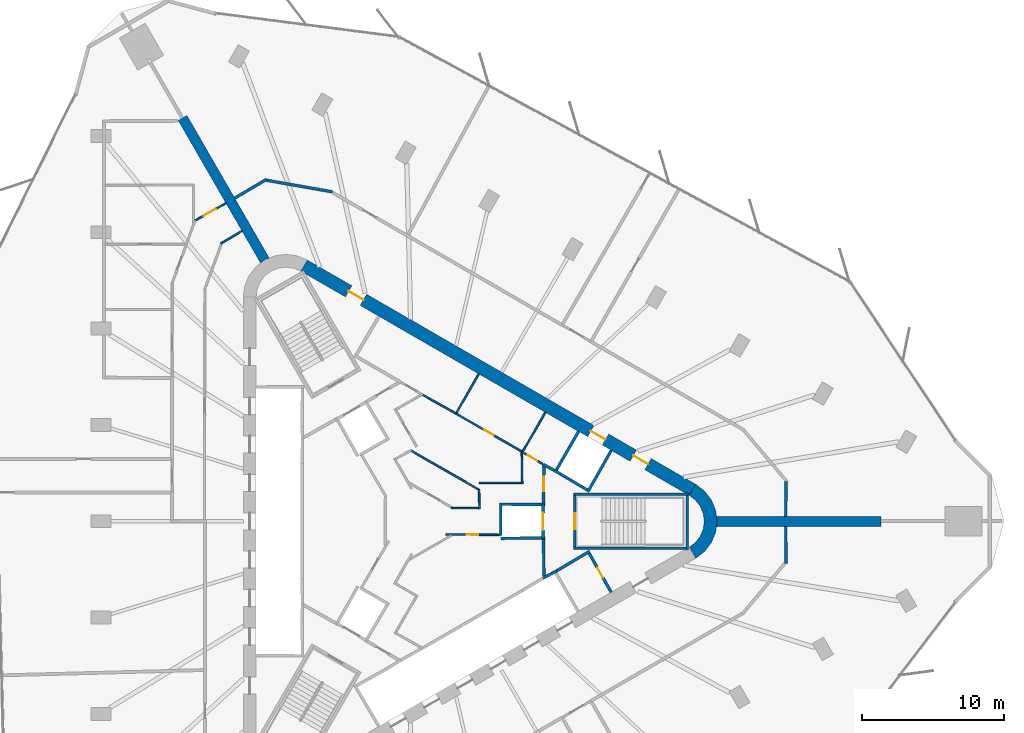
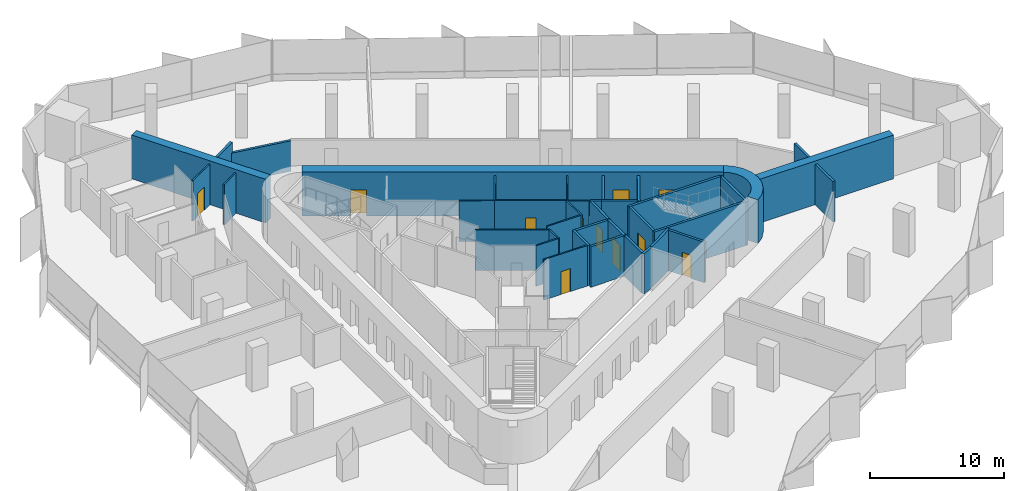
# One storey, part 11 of 14: 38 walls, 11 doors, 11 openings.
"""IFC4 building model written with IfcOpenShell, lengths in metres."""

from ifc_helpers import new_model, si_unit, direction, frame, frame_2d, origin, place, context, subcontext, project, spatial, polyline, rectangle, outline, extrude, material, layer, layer_set, type_object, element, fill, save


model = new_model("IFC4")

# Units and contexts
model_context = context("Model", 3, precision=1e-05, world=origin(), true_north=direction((0.0, 1.0)))
body_context = subcontext(model_context, "Body", "Model", "MODEL_VIEW")
ifc_project = project(units=[si_unit("LENGTHUNIT", "METRE"), si_unit("AREAUNIT", "SQUARE_METRE"), si_unit("VOLUMEUNIT", "CUBIC_METRE"), si_unit("PLANEANGLEUNIT", "RADIAN"), si_unit("MASSUNIT", "GRAM", prefix="KILO")], contexts=[model_context])

# Site, building, storey
site_placement = place(None, origin())
site = spatial("IfcSite", under=ifc_project, at=site_placement, CompositionType="ELEMENT")
building_placement = place(site_placement, origin())
building = spatial("IfcBuilding", under=site, at=building_placement, Name="Tanit Gate Tower", CompositionType="ELEMENT")
storey_placement = place(building_placement, frame((0.0, 0.0, 217.199951171875)))
storey = spatial("IfcBuildingStorey", under=building, at=storey_placement, Name="L48", CompositionType="ELEMENT", Elevation=217.199951171875)

# Walls
ifc_material_1 = material(Name="Concrete C50/60", Category="concrete")
ifc_layer_1 = layer(ifc_material_1, 0.699951171875)
ifc_layer_set_1 = layer_set([ifc_layer_1], Name="BUTTRESS FIN 700 C50/60")
wall_type_1 = type_object("IfcWallType", Name="BUTTRESS FIN 700 C50/60", PredefinedType="SHEAR", material=ifc_layer_set_1)
for number, where, z_axis, x_axis, name in (
    (1, (21.14990234375, 0.0, 0.0), (0.0, 0.0, 1.0), (1.0, 0.0, 0.0), "BUTTRESS FIN"),
    (2, (-10.574951171875, 18.31640625, 0.0), (0.0, 0.0, 1.0), (-0.499998001389, 0.86602655768, 0.0), "BUTTRESS FIN"),
):
    element("IfcWall", number, at=place(storey_placement, frame(where, z_axis=z_axis, x_axis=x_axis)), inside=storey, type_object=wall_type_1, Name=name, PredefinedType="SHEAR", context=body_context, shape_type="SweptSolid", body=[
        extrude(rectangle(XDim=11.5810546875, YDim=0.699951171875, at=frame_2d((5.79052734375, 0.0))), origin(), (0.0, 0.0, 1.0), 4.0),
    ])

# Wall, openings, doors
ifc_material_2 = material(Name="Concrete C50/60", Category="concrete")
ifc_layer_2 = layer(ifc_material_2, 0.89990234375)
ifc_layer_set_2 = layer_set([ifc_layer_2], Name="CORE WALL 900 C50/60")
wall_type_2 = type_object("IfcWallType", Name="CORE WALL 900 C50/60", PredefinedType="SHEAR", material=ifc_layer_set_2)
wall_1_placement = place(storey_placement, frame((19.47509765625, 2.20849609375, 0.0), z_axis=(0.0, 0.0, 1.0), x_axis=(-0.866028369851, 0.499994862586, 0.0)))
wall_1 = element("IfcWall", 3, at=wall_1_placement, inside=storey, type_object=wall_type_2, Name="CORE WALL", PredefinedType="SHEAR", context=body_context, shape_type="SweptSolid", body=[
    extrude(rectangle(XDim=31.523193359375, YDim=0.89990234375, at=frame_2d((15.76171875, 0.0))), origin(), (0.0, 0.0, 1.0), 4.0),
])
opening_1_placement = place(wall_1_placement, frame((7.0615234375, 0.0, 0.0)))
opening_1 = element("IfcOpeningElement", 4, at=opening_1_placement, cuts=wall_1, Name="Opening LDML8-S13", PredefinedType="OPENING", context=body_context, shape_type="SweptSolid", body=[
    extrude(rectangle(XDim=1.199951171875, YDim=2.39990234375, at=frame_2d((0.60009765625, 1.199951171875))), frame((0.0, 0.4599609375, 0.0), z_axis=(0.0, -1.0, 0.0), x_axis=(1.0, 0.0, 0.0)), (0.0, 0.0, 1.0), 0.919921875),
])
opening_2_placement = place(wall_1_placement, frame((3.611572265625, 0.0, 0.0)))
opening_2 = element("IfcOpeningElement", 5, at=opening_2_placement, cuts=wall_1, Name="Opening F12-S13-FL1", PredefinedType="OPENING", context=body_context, shape_type="SweptSolid", body=[
    extrude(rectangle(XDim=1.199951171875, YDim=2.39990234375, at=frame_2d((0.60009765625, 1.199951171875))), frame((0.0, 0.4599609375, 0.0), z_axis=(0.0, -1.0, 0.0), x_axis=(1.0, 0.0, 0.0)), (0.0, 0.0, 1.0), 0.919921875),
])
opening_3_placement = place(wall_1_placement, frame((26.711669921875, 0.0, 0.0)))
opening_3 = element("IfcOpeningElement", 6, at=opening_3_placement, cuts=wall_1, Name="Opening F12-S13-S2", PredefinedType="OPENING", context=body_context, shape_type="SweptSolid", body=[
    extrude(rectangle(XDim=1.199951171875, YDim=2.39990234375, at=frame_2d((0.60009765625, 1.199951171875))), frame((0.0, 0.4599609375, 0.0), z_axis=(0.0, -1.0, 0.0), x_axis=(1.0, 0.0, 0.0)), (0.0, 0.0, 1.0), 0.919921875),
])
ifc_material_3 = material(Name="Fire-rated steel door leaf", Category="steel")
door_type_1 = type_object("IfcDoorType", Name="INT-DOOR-FIRE-LOBBY-1200", OperationType="NOTDEFINED", PredefinedType="USERDEFINED", material=ifc_material_3)
door_1_placement = place(opening_2_placement, origin())
door_1 = element("IfcDoor", 7, at=door_1_placement, inside=storey, type_object=door_type_1, Name="Door F12-S13-FL1", ObjectType="FIRE DOOR", OperationType="SINGLE_SWING_LEFT", OverallHeight=2.39990234375, OverallWidth=1.199951171875, PredefinedType="USERDEFINED", context=body_context, shape_type="SweptSolid", body=[
    extrude(rectangle(XDim=1.199951171875, YDim=2.39990234375, at=frame_2d((0.60009765625, 1.199951171875))), frame((0.0, 0.02490234375, 0.0), z_axis=(0.0, -1.0, 0.0), x_axis=(1.0, 0.0, 0.0)), (0.0, 0.0, 1.0), 0.050048828125),
])
fill(opening_2, door_1)
door_2_placement = place(opening_3_placement, origin())
door_2 = element("IfcDoor", 8, at=door_2_placement, inside=storey, type_object=door_type_1, Name="Door F12-S13-S2", ObjectType="FIRE DOOR", OperationType="SINGLE_SWING_LEFT", OverallHeight=2.39990234375, OverallWidth=1.199951171875, PredefinedType="USERDEFINED", context=body_context, shape_type="SweptSolid", body=[
    extrude(rectangle(XDim=1.199951171875, YDim=2.39990234375, at=frame_2d((0.60009765625, 1.199951171875))), frame((0.0, 0.02490234375, 0.0), z_axis=(0.0, -1.0, 0.0), x_axis=(1.0, 0.0, 0.0)), (0.0, 0.0, 1.0), 0.050048828125),
])
fill(opening_3, door_2)
ifc_material_4 = material(Name="Stainless steel sliding door leaf", Category="steel")
door_type_2 = type_object("IfcDoorType", Name="INT-DOOR-LANDING-1200", OperationType="NOTDEFINED", PredefinedType="USERDEFINED", material=ifc_material_4)
door_3_placement = place(opening_1_placement, origin())
door_3 = element("IfcDoor", 9, at=door_3_placement, inside=storey, type_object=door_type_2, Name="Door LDML8-S13", ObjectType="LANDING DOOR", OperationType="SLIDING_TO_LEFT", OverallHeight=2.39990234375, OverallWidth=1.199951171875, PredefinedType="USERDEFINED", context=body_context, shape_type="SweptSolid", body=[
    extrude(rectangle(XDim=1.199951171875, YDim=2.39990234375, at=frame_2d((0.60009765625, 1.199951171875))), frame((0.0, 0.02490234375, 0.0), z_axis=(0.0, -1.0, 0.0), x_axis=(1.0, 0.0, 0.0)), (0.0, 0.0, 1.0), 0.050048828125),
])
fill(opening_1, door_3)

# Walls
wall_2_placement = place(storey_placement, origin())
element("IfcWall", 10, at=wall_2_placement, inside=storey, type_object=wall_type_2, Name="CORE WALL CORNER", PredefinedType="SHEAR", context=body_context, shape_type="SweptSolid", body=[
    extrude(outline(polyline([(19.699951171875, -2.59814453125), (20.3212890625, -2.121337890625), (20.798095703125, -1.5), (21.097900390625, -0.776611328125), (21.199951171875, 0.0), (21.097900390625, 0.776611328125), (20.798095703125, 1.5), (20.3212890625, 2.121337890625), (19.699951171875, 2.59814453125), (19.25, 1.818603515625), (19.684814453125, 1.48486328125), (20.018798828125, 1.050048828125), (20.228515625, 0.54345703125), (20.300048828125, 0.0), (20.228515625, -0.54345703125), (20.018798828125, -1.050048828125), (19.684814453125, -1.48486328125), (19.25, -1.818603515625), (19.699951171875, -2.59814453125)])), origin(), (0.0, 0.0, 1.0), 4.0),
])
ifc_material_5 = material(Name="Fire-rated gypsum board partition")
ifc_layer_3 = layer(ifc_material_5, 0.199951171875)
ifc_layer_set_3 = layer_set([ifc_layer_3], Name="INT-WALL-COMPARTMENT")
wall_type_3 = type_object("IfcWallType", Name="INT-WALL-COMPARTMENT", PredefinedType="PARTITIONING", material=ifc_layer_set_3)
wall_3_placement = place(storey_placement, frame((8.97412109375, 3.998779296875, 0.0), z_axis=(0.0, 0.0, 1.0), x_axis=(0.880917147855, -0.473270513147, 0.0)))
element("IfcWall", 11, at=wall_3_placement, inside=storey, type_object=wall_type_3, Name="Wall Compartment W050", PredefinedType="PARTITIONING", context=body_context, shape_type="SweptSolid", body=[
    extrude(rectangle(XDim=0.8779296875, YDim=0.199951171875, at=frame_2d((0.43896484375, 0.0))), origin(), (0.0, 0.0, 1.0), 3.699951171875),
])
wall_4_placement = place(storey_placement, frame((12.244873046875, -2.10888671875, 0.0), z_axis=(0.0, 0.0, 1.0), x_axis=(-0.860414880418, -0.509594185166, 0.0)))
element("IfcWall", 12, at=wall_4_placement, inside=storey, type_object=wall_type_3, Name="Wall Compartment W058", PredefinedType="PARTITIONING", context=body_context, shape_type="SweptSolid", body=[
    extrude(rectangle(XDim=2.7001953125, YDim=0.199951171875, at=frame_2d((1.35009765625, 0.0))), origin(), (0.0, 0.0, 1.0), 3.699951171875),
])

# Wall, opening, door
wall_5_placement = place(storey_placement, frame((13.758056640625, -4.989501953125, 0.0), z_axis=(0.0, 0.0, 1.0), x_axis=(-0.491993409184, 0.87059892334, 0.0)))
wall_5 = element("IfcWall", 13, at=wall_5_placement, inside=storey, type_object=wall_type_3, Name="Wall Compartment W059", PredefinedType="PARTITIONING", context=body_context, shape_type="SweptSolid", body=[
    extrude(rectangle(XDim=3.150146484375, YDim=0.199951171875, at=frame_2d((1.5751953125, 0.0))), origin(), (0.0, 0.0, 1.0), 3.699951171875),
])
opening_4_placement = place(wall_5_placement, frame((1.175048828125, 0.0, 0.0)))
opening_4 = element("IfcOpeningElement", 14, at=opening_4_placement, cuts=wall_5, Name="Opening R08-S13-17", PredefinedType="OPENING", context=body_context, shape_type="SweptSolid", body=[
    extrude(rectangle(XDim=0.800048828125, YDim=2.10009765625, at=frame_2d((0.39990234375, 1.050048828125))), frame((0.0, 0.10986328125, 0.0), z_axis=(0.0, -1.0, 0.0), x_axis=(1.0, 0.0, 0.0)), (0.0, 0.0, 1.0), 0.219970703125),
])
ifc_material_6 = material(Name="Timber door leaf", Category="wood")
door_type_3 = type_object("IfcDoorType", Name="INT-DOOR-RISER-800", OperationType="NOTDEFINED", PredefinedType="USERDEFINED", material=ifc_material_6)
door_4_placement = place(opening_4_placement, origin())
door_4 = element("IfcDoor", 15, at=door_4_placement, inside=storey, type_object=door_type_3, Name="Door R08-S13-17", ObjectType="FIRE DOOR", OperationType="SINGLE_SWING_LEFT", OverallHeight=2.10009765625, OverallWidth=0.800048828125, PredefinedType="USERDEFINED", context=body_context, shape_type="SweptSolid", body=[
    extrude(rectangle(XDim=0.800048828125, YDim=2.10009765625, at=frame_2d((0.39990234375, 1.050048828125))), frame((0.0, 0.02490234375, 0.0), z_axis=(0.0, -1.0, 0.0), x_axis=(1.0, 0.0, 0.0)), (0.0, 0.0, 1.0), 0.050048828125),
])
fill(opening_4, door_4)

# Wall
wall_6_placement = place(storey_placement, frame((9.02880859375, -3.8505859375, 0.0), z_axis=(0.0, 0.0, 1.0), x_axis=(-0.010784614026, 0.999941844359, 0.0)))
element("IfcWall", 16, at=wall_6_placement, inside=storey, type_object=wall_type_3, Name="Wall Compartment W060", PredefinedType="PARTITIONING", context=body_context, shape_type="SweptSolid", body=[
    extrude(rectangle(XDim=2.580810546875, YDim=0.199951171875, at=frame_2d((1.29052734375, 0.0))), origin(), (0.0, 0.0, 1.0), 3.699951171875),
])

# Wall, opening, door
wall_7_placement = place(storey_placement, frame((9.0009765625, 1.27001953125, 0.0), z_axis=(0.0, 0.0, 1.0), x_axis=(0.010728802716, 0.99994244474, 0.0)))
wall_7 = element("IfcWall", 17, at=wall_7_placement, inside=storey, type_object=wall_type_3, Name="Wall Compartment W061", PredefinedType="PARTITIONING", context=body_context, shape_type="SweptSolid", body=[
    extrude(rectangle(XDim=2.7080078125, YDim=0.199951171875, at=frame_2d((1.35400390625, 0.0))), origin(), (0.0, 0.0, 1.0), 3.699951171875),
])
opening_5_placement = place(wall_7_placement, frame((0.848388671875, 0.0, 0.0)))
opening_5 = element("IfcOpeningElement", 18, at=opening_5_placement, cuts=wall_7, Name="Opening F10-S13-02", PredefinedType="OPENING", context=body_context, shape_type="SweptSolid", body=[
    extrude(rectangle(XDim=1.0, YDim=2.10009765625, at=frame_2d((0.5, 1.050048828125))), frame((0.0, 0.10986328125, 0.0), z_axis=(0.0, -1.0, 0.0), x_axis=(1.0, 0.0, 0.0)), (0.0, 0.0, 1.0), 0.219970703125),
])
ifc_material_7 = material(Name="Fire-rated steel door leaf", Category="steel")
door_type_4 = type_object("IfcDoorType", Name="INT-DOOR-FIRE-1000", OperationType="NOTDEFINED", PredefinedType="USERDEFINED", material=ifc_material_7)
door_5_placement = place(opening_5_placement, origin())
door_5 = element("IfcDoor", 19, at=door_5_placement, inside=storey, type_object=door_type_4, Name="Door F10-S13-02", ObjectType="FIRE DOOR", OperationType="SINGLE_SWING_RIGHT", OverallHeight=2.10009765625, OverallWidth=1.0, PredefinedType="USERDEFINED", context=body_context, shape_type="SweptSolid", body=[
    extrude(rectangle(XDim=1.0, YDim=2.10009765625, at=frame_2d((0.5, 1.050048828125))), frame((0.0, 0.02490234375, 0.0), z_axis=(0.0, -1.0, 0.0), x_axis=(1.0, 0.0, 0.0)), (0.0, 0.0, 1.0), 0.050048828125),
])
fill(opening_5, door_5)

# Walls
wall_8_placement = place(storey_placement, frame((-10.449462890625, 24.0439453125, 0.0), z_axis=(0.0, 0.0, 1.0), x_axis=(-0.860744847861, -0.509036645912, 0.0)))
element("IfcWall", 20, at=wall_8_placement, inside=storey, type_object=wall_type_3, Name="Wall Compartment W102", PredefinedType="PARTITIONING", context=body_context, shape_type="SweptSolid", body=[
    extrude(rectangle(XDim=2.62255859375, YDim=0.199951171875, at=frame_2d((1.311279296875, 0.0))), origin(), (0.0, 0.0, 1.0), 3.699951171875),
])
wall_9_placement = place(storey_placement, frame((-5.833740234375, 23.153076171875, 0.0), z_axis=(0.0, 0.0, 1.0), x_axis=(-0.98481258102, 0.173620794447, 0.0)))
element("IfcWall", 21, at=wall_9_placement, inside=storey, type_object=wall_type_3, Name="Wall Compartment W103", PredefinedType="PARTITIONING", context=body_context, shape_type="SweptSolid", body=[
    extrude(rectangle(XDim=4.740234375, YDim=0.199951171875, at=frame_2d((2.3701171875, 0.0))), origin(), (0.0, 0.0, 1.0), 2.780029296875),
])
wall_10_placement = place(storey_placement, frame((26.019775390625, 0.35009765625, 0.0), z_axis=(0.0, 0.0, 1.0), x_axis=(0.010532007244, 0.999944536874, 0.0)))
element("IfcWall", 22, at=wall_10_placement, inside=storey, type_object=wall_type_3, Name="Wall Compartment W108", PredefinedType="PARTITIONING", context=body_context, shape_type="SweptSolid", body=[
    extrude(rectangle(XDim=2.457275390625, YDim=0.199951171875, at=frame_2d((1.228515625, 0.0))), origin(), (0.0, 0.0, 1.0), 3.699951171875),
])
wall_11_placement = place(storey_placement, frame((26.04736328125, -2.972412109375, 0.0), z_axis=(0.0, 0.0, 1.0), x_axis=(-0.010519853563, 0.99994466481, 0.0)))
element("IfcWall", 23, at=wall_11_placement, inside=storey, type_object=wall_type_3, Name="Wall Compartment W110", PredefinedType="PARTITIONING", context=body_context, shape_type="SweptSolid", body=[
    extrude(rectangle(XDim=2.62255859375, YDim=0.199951171875, at=frame_2d((1.311279296875, 0.0))), origin(), (0.0, 0.0, 1.0), 3.699951171875),
])
ifc_material_8 = material(Name="Gypsum board partition")
ifc_layer_4 = layer(ifc_material_8, 0.1201171875)
ifc_layer_set_4 = layer_set([ifc_layer_4], Name="INT-WALL-PARTITION")
wall_type_4 = type_object("IfcWallType", Name="INT-WALL-PARTITION", PredefinedType="PARTITIONING", material=ifc_layer_set_4)
wall_12_placement = place(storey_placement, frame((7.50830078125, 4.844970703125, 0.0), z_axis=(0.0, 0.0, 1.0), x_axis=(0.500017246033, 0.866015446554, 0.0)))
element("IfcWall", 24, at=wall_12_placement, inside=storey, type_object=wall_type_4, Name="Wall Partition W049", PredefinedType="PARTITIONING", context=body_context, shape_type="SweptSolid", body=[
    extrude(rectangle(XDim=3.25, YDim=0.1201171875, at=frame_2d((1.625, 0.0))), origin(), (0.0, 0.0, 1.0), 3.699951171875),
])

# Wall, opening, door
wall_13_placement = place(storey_placement, frame((7.4931640625, 4.87841796875, 0.0), z_axis=(0.0, 0.0, 1.0), x_axis=(0.8599829515, -0.510322763679, 0.0)))
wall_13 = element("IfcWall", 25, at=wall_13_placement, inside=storey, type_object=wall_type_4, Name="Wall Partition W051", PredefinedType="PARTITIONING", context=body_context, shape_type="SweptSolid", body=[
    extrude(rectangle(XDim=1.671630859375, YDim=0.1201171875, at=frame_2d((0.8359375, 0.0))), origin(), (0.0, 0.0, 1.0), 3.699951171875),
])
opening_6_placement = place(wall_13_placement, frame((0.435791015625, 0.0, 0.0)))
opening_6 = element("IfcOpeningElement", 26, at=opening_6_placement, cuts=wall_13, Name="Opening R08-S13-14", PredefinedType="OPENING", context=body_context, shape_type="SweptSolid", body=[
    extrude(rectangle(XDim=0.800048828125, YDim=2.10009765625, at=frame_2d((0.39990234375, 1.050048828125))), frame((0.0, 0.070068359375, 0.0), z_axis=(0.0, -1.0, 0.0), x_axis=(1.0, 0.0, 0.0)), (0.0, 0.0, 1.0), 0.14013671875),
])
door_6_placement = place(opening_6_placement, origin())
door_6 = element("IfcDoor", 27, at=door_6_placement, inside=storey, type_object=door_type_3, Name="Door R08-S13-14", ObjectType="FIRE DOOR", OperationType="SINGLE_SWING_RIGHT", OverallHeight=2.10009765625, OverallWidth=0.800048828125, PredefinedType="USERDEFINED", context=body_context, shape_type="SweptSolid", body=[
    extrude(rectangle(XDim=0.800048828125, YDim=2.10009765625, at=frame_2d((0.39990234375, 1.050048828125))), frame((0.0, 0.02490234375, 0.0), z_axis=(0.0, -1.0, 0.0), x_axis=(1.0, 0.0, 0.0)), (0.0, 0.0, 1.0), 0.050048828125),
])
fill(opening_6, door_6)

# Wall
wall_14_placement = place(storey_placement, frame((2.831787109375, 7.544921875, 0.0), z_axis=(0.0, 0.0, 1.0), x_axis=(0.500017246033, 0.866015446554, 0.0)))
element("IfcWall", 28, at=wall_14_placement, inside=storey, type_object=wall_type_4, Name="Wall Partition W052", PredefinedType="PARTITIONING", context=body_context, shape_type="SweptSolid", body=[
    extrude(rectangle(XDim=3.25, YDim=0.1201171875, at=frame_2d((1.625, 0.0))), origin(), (0.0, 0.0, 1.0), 3.699951171875),
])

# Wall, opening, door
wall_15_placement = place(storey_placement, frame((7.497314453125, 4.885986328125, 0.0), z_axis=(0.0, 0.0, 1.0), x_axis=(-0.866028230842, 0.499995103361, 0.0)))
wall_15 = element("IfcWall", 29, at=wall_15_placement, inside=storey, type_object=wall_type_4, Name="Wall Partition W053", PredefinedType="PARTITIONING", context=body_context, shape_type="SweptSolid", body=[
    extrude(rectangle(XDim=5.39990234375, YDim=0.1201171875, at=frame_2d((2.699951171875, 0.0))), origin(), (0.0, 0.0, 1.0), 3.699951171875),
])
opening_7_placement = place(wall_15_placement, frame((2.300048828125, 0.0, 0.0)))
opening_7 = element("IfcOpeningElement", 30, at=opening_7_placement, cuts=wall_15, Name="Opening R08-S13-15", PredefinedType="OPENING", context=body_context, shape_type="SweptSolid", body=[
    extrude(rectangle(XDim=0.800048828125, YDim=2.10009765625, at=frame_2d((0.39990234375, 1.050048828125))), frame((0.0, 0.070068359375, 0.0), z_axis=(0.0, -1.0, 0.0), x_axis=(1.0, 0.0, 0.0)), (0.0, 0.0, 1.0), 0.14013671875),
])
door_7_placement = place(opening_7_placement, origin())
door_7 = element("IfcDoor", 31, at=door_7_placement, inside=storey, type_object=door_type_3, Name="Door R08-S13-15", ObjectType="FIRE DOOR", OperationType="SINGLE_SWING_LEFT", OverallHeight=2.10009765625, OverallWidth=0.800048828125, PredefinedType="USERDEFINED", context=body_context, shape_type="SweptSolid", body=[
    extrude(rectangle(XDim=0.800048828125, YDim=2.10009765625, at=frame_2d((0.39990234375, 1.050048828125))), frame((0.0, 0.02490234375, 0.0), z_axis=(0.0, -1.0, 0.0), x_axis=(1.0, 0.0, 0.0)), (0.0, 0.0, 1.0), 0.050048828125),
])
fill(opening_7, door_7)

# Wall
wall_16_placement = place(storey_placement, frame((2.82080078125, 7.5859375, 0.0), z_axis=(0.0, 0.0, 1.0), x_axis=(-0.871426548871, 0.490526013503, 0.0)))
element("IfcWall", 32, at=wall_16_placement, inside=storey, type_object=wall_type_4, Name="Wall Partition W056", PredefinedType="PARTITIONING", context=body_context, shape_type="SweptSolid", body=[
    extrude(rectangle(XDim=2.670166015625, YDim=0.1201171875, at=frame_2d((1.3349609375, 0.0))), origin(), (0.0, 0.0, 1.0), 3.699951171875),
])

# Wall, opening, door
wall_17_placement = place(storey_placement, frame((5.89990234375, -0.953857421875, 0.0), z_axis=(0.0, 0.0, 1.0), x_axis=(-0.999970929415, 0.00762498027, 0.0)))
wall_17 = element("IfcWall", 33, at=wall_17_placement, inside=storey, type_object=wall_type_4, Name="Wall Partition W074", PredefinedType="PARTITIONING", context=body_context, shape_type="SweptSolid", body=[
    extrude(rectangle(XDim=3.778076171875, YDim=0.1201171875, at=frame_2d((1.88916015625, 0.0))), origin(), (0.0, 0.0, 1.0), 3.699951171875),
])
opening_8_placement = place(wall_17_placement, frame((1.4892578125, 0.0, 0.0)))
opening_8 = element("IfcOpeningElement", 34, at=opening_8_placement, cuts=wall_17, Name="Opening R08-S13-11", PredefinedType="OPENING", context=body_context, shape_type="SweptSolid", body=[
    extrude(rectangle(XDim=0.800048828125, YDim=2.10009765625, at=frame_2d((0.39990234375, 1.050048828125))), frame((0.0, 0.070068359375, 0.0), z_axis=(0.0, -1.0, 0.0), x_axis=(1.0, 0.0, 0.0)), (0.0, 0.0, 1.0), 0.14013671875),
])
door_8_placement = place(opening_8_placement, origin())
door_8 = element("IfcDoor", 35, at=door_8_placement, inside=storey, type_object=door_type_3, Name="Door R08-S13-11", ObjectType="FIRE DOOR", OperationType="SINGLE_SWING_LEFT", OverallHeight=2.10009765625, OverallWidth=0.800048828125, PredefinedType="USERDEFINED", context=body_context, shape_type="SweptSolid", body=[
    extrude(rectangle(XDim=0.800048828125, YDim=2.10009765625, at=frame_2d((0.39990234375, 1.050048828125))), frame((0.0, 0.02490234375, 0.0), z_axis=(0.0, -1.0, 0.0), x_axis=(1.0, 0.0, 0.0)), (0.0, 0.0, 1.0), 0.050048828125),
])
fill(opening_8, door_8)

# Walls
wall_18_placement = place(storey_placement, frame((-0.350830078125, 4.99365234375, 0.0), z_axis=(0.0, 0.0, 1.0), x_axis=(0.866277754418, -0.499562660935, 0.0)))
element("IfcWall", 36, at=wall_18_placement, inside=storey, type_object=wall_type_4, Name="Wall Partition W075", PredefinedType="PARTITIONING", context=body_context, shape_type="SweptSolid", body=[
    extrude(rectangle(XDim=5.599609375, YDim=0.1201171875, at=frame_2d((2.7998046875, 0.0))), origin(), (0.0, 0.0, 1.0), 3.699951171875),
])
wall_19_placement = place(storey_placement, frame((4.501220703125, 0.864990234375, 0.0), z_axis=(0.0, 0.0, 1.0), x_axis=(-0.022315079617, 0.999750987607, 0.0)))
element("IfcWall", 37, at=wall_19_placement, inside=storey, type_object=wall_type_4, Name="Wall Partition W076", PredefinedType="PARTITIONING", context=body_context, shape_type="SweptSolid", body=[
    extrude(rectangle(XDim=1.37841796875, YDim=0.1201171875, at=frame_2d((0.689208984375, 0.0))), origin(), (0.0, 0.0, 1.0), 3.699951171875),
])
wall_20_placement = place(storey_placement, frame((2.5302734375, 0.925048828125, 0.0), z_axis=(0.0, 0.0, 1.0), x_axis=(1.0, 0.0, 0.0)))
element("IfcWall", 38, at=wall_20_placement, inside=storey, type_object=wall_type_4, Name="Wall Partition W077", PredefinedType="PARTITIONING", context=body_context, shape_type="SweptSolid", body=[
    extrude(rectangle(XDim=1.90966796875, YDim=0.1201171875, at=frame_2d((0.954833984375, 0.0))), origin(), (0.0, 0.0, 1.0), 3.699951171875),
])
wall_21_placement = place(storey_placement, frame((7.500732421875, 2.639892578125, 0.0), z_axis=(0.0, 0.0, 1.0), x_axis=(-0.01174194727, 0.999931060961, 0.0)))
element("IfcWall", 39, at=wall_21_placement, inside=storey, type_object=wall_type_4, Name="Wall Partition W083", PredefinedType="PARTITIONING", context=body_context, shape_type="SweptSolid", body=[
    extrude(rectangle(XDim=2.224853515625, YDim=0.1201171875, at=frame_2d((1.1123046875, 0.0))), origin(), (0.0, 0.0, 1.0), 3.699951171875),
])
wall_22_placement = place(storey_placement, frame((4.5, 2.699951171875, 0.0), z_axis=(0.0, 0.0, 1.0), x_axis=(1.0, 0.0, 0.0)))
element("IfcWall", 40, at=wall_22_placement, inside=storey, type_object=wall_type_4, Name="Wall Partition W084", PredefinedType="PARTITIONING", context=body_context, shape_type="SweptSolid", body=[
    extrude(rectangle(XDim=2.93994140625, YDim=0.1201171875, at=frame_2d((1.469970703125, 0.0))), origin(), (0.0, 0.0, 1.0), 3.699951171875),
])
wall_23_placement = place(storey_placement, frame((-12.188720703125, 20.411376953125, 0.0), z_axis=(0.0, 0.0, 1.0), x_axis=(-0.858492721014, -0.51282574815, 0.0)))
element("IfcWall", 41, at=wall_23_placement, inside=storey, type_object=wall_type_4, Name="Wall Partition W085", PredefinedType="PARTITIONING", context=body_context, shape_type="SweptSolid", body=[
    extrude(rectangle(XDim=1.742431640625, YDim=0.1201171875, at=frame_2d((0.87109375, 0.0))), origin(), (0.0, 0.0, 1.0), 3.699951171875),
])

# Wall, opening, door
wall_24_placement = place(storey_placement, frame((-13.31298828125, 22.35888671875, 0.0), z_axis=(0.0, 0.0, 1.0), x_axis=(-0.87126053708, -0.490820819167, 0.0)))
wall_24 = element("IfcWall", 42, at=wall_24_placement, inside=storey, type_object=wall_type_4, Name="Wall Partition W096", PredefinedType="PARTITIONING", context=body_context, shape_type="SweptSolid", body=[
    extrude(rectangle(XDim=2.505859375, YDim=0.1201171875, at=frame_2d((1.2529296875, 0.0))), origin(), (0.0, 0.0, 1.0), 3.699951171875),
])
opening_9_placement = place(wall_24_placement, frame((0.802978515625, 0.0, 0.0)))
opening_9 = element("IfcOpeningElement", 43, at=opening_9_placement, cuts=wall_24, Name="Opening D10-S13-25", PredefinedType="OPENING", context=body_context, shape_type="SweptSolid", body=[
    extrude(rectangle(XDim=1.0, YDim=2.10009765625, at=frame_2d((0.5, 1.050048828125))), frame((0.0, 0.070068359375, 0.0), z_axis=(0.0, -1.0, 0.0), x_axis=(1.0, 0.0, 0.0)), (0.0, 0.0, 1.0), 0.14013671875),
])
ifc_material_9 = material(Name="Timber door leaf", Category="wood")
door_type_5 = type_object("IfcDoorType", Name="INT-DOOR-SINGLE-1000", OperationType="NOTDEFINED", PredefinedType="NOTDEFINED", material=ifc_material_9)
door_9_placement = place(opening_9_placement, origin())
door_9 = element("IfcDoor", 44, at=door_9_placement, inside=storey, type_object=door_type_5, Name="Door D10-S13-25", OperationType="SINGLE_SWING_LEFT", OverallHeight=2.10009765625, OverallWidth=1.0, PredefinedType="NOTDEFINED", context=body_context, shape_type="SweptSolid", body=[
    extrude(rectangle(XDim=1.0, YDim=2.10009765625, at=frame_2d((0.5, 1.050048828125))), frame((0.0, 0.02490234375, 0.0), z_axis=(0.0, -1.0, 0.0), x_axis=(1.0, 0.0, 0.0)), (0.0, 0.0, 1.0), 0.050048828125),
])
fill(opening_9, door_9)

# Walls
ifc_material_10 = material(Name="Gypsum shaft wall system")
ifc_layer_5 = layer(ifc_material_10, 0.199951171875)
ifc_layer_set_5 = layer_set([ifc_layer_5], Name="INT-WALL-SHAFT")
wall_type_5 = type_object("IfcWallType", Name="INT-WALL-SHAFT", PredefinedType="PLUMBINGWALL", material=ifc_layer_set_5)
wall_25_placement = place(storey_placement, frame((9.8466796875, 3.494873046875, 0.0), z_axis=(0.0, 0.0, 1.0), x_axis=(0.499984717929, 0.866034226713, 0.0)))
element("IfcWall", 45, at=wall_25_placement, inside=storey, type_object=wall_type_5, Name="Wall Shaft W012", PredefinedType="PLUMBINGWALL", context=body_context, shape_type="SweptSolid", body=[
    extrude(rectangle(XDim=3.25, YDim=0.199951171875, at=frame_2d((1.625, 0.0))), origin(), (0.0, 0.0, 1.0), 3.699951171875),
])
wall_26_placement = place(storey_placement, frame((12.10986328125, 2.07275390625, 0.0), z_axis=(0.0, 0.0, 1.0), x_axis=(0.49196600604, 0.870614408852, 0.0)))
element("IfcWall", 46, at=wall_26_placement, inside=storey, type_object=wall_type_5, Name="Wall Shaft W013", PredefinedType="PLUMBINGWALL", context=body_context, shape_type="SweptSolid", body=[
    extrude(rectangle(XDim=3.35009765625, YDim=0.199951171875, at=frame_2d((1.675048828125, 0.0))), origin(), (0.0, 0.0, 1.0), 3.699951171875),
])
wall_27_placement = place(storey_placement, frame((12.072998046875, 2.2109375, 0.0), z_axis=(0.0, 0.0, 1.0), x_axis=(-0.860414880418, 0.509594185166, 0.0)))
element("IfcWall", 47, at=wall_27_placement, inside=storey, type_object=wall_type_5, Name="Wall Shaft W014", PredefinedType="PLUMBINGWALL", context=body_context, shape_type="SweptSolid", body=[
    extrude(rectangle(XDim=2.7001953125, YDim=0.199951171875, at=frame_2d((1.35009765625, 0.0))), origin(), (0.0, 0.0, 1.0), 3.699951171875),
])
wall_28_placement = place(storey_placement, frame((8.97412109375, -3.998779296875, 0.0), z_axis=(0.0, 0.0, 1.0), x_axis=(0.880907015104, 0.473289373154, 0.0)))
element("IfcWall", 48, at=wall_28_placement, inside=storey, type_object=wall_type_5, Name="Wall Shaft W017", PredefinedType="PLUMBINGWALL", context=body_context, shape_type="SweptSolid", body=[
    extrude(rectangle(XDim=1.078125, YDim=0.199951171875, at=frame_2d((0.5390625, 0.0))), origin(), (0.0, 0.0, 1.0), 3.699951171875),
])

# Wall, opening, door
wall_29_placement = place(storey_placement, frame((8.969970703125, 1.199951171875, 0.0), z_axis=(0.0, 0.0, 1.0), x_axis=(0.0, -1.0, 0.0)))
wall_29 = element("IfcWall", 49, at=wall_29_placement, inside=storey, type_object=wall_type_5, Name="Wall Shaft W029", PredefinedType="PLUMBINGWALL", context=body_context, shape_type="SweptSolid", body=[
    extrude(rectangle(XDim=2.39990234375, YDim=0.199951171875, at=frame_2d((1.199951171875, 0.0))), origin(), (0.0, 0.0, 1.0), 3.699951171875),
])
opening_10_placement = place(wall_29_placement, frame((0.60009765625, 0.0, 0.0)))
opening_10 = element("IfcOpeningElement", 50, at=opening_10_placement, cuts=wall_29, Name="Opening LDFL1-L48", PredefinedType="OPENING", context=body_context, shape_type="SweptSolid", body=[
    extrude(rectangle(XDim=1.199951171875, YDim=2.39990234375, at=frame_2d((0.60009765625, 1.199951171875))), frame((0.0, 0.10986328125, 0.0), z_axis=(0.0, -1.0, 0.0), x_axis=(1.0, 0.0, 0.0)), (0.0, 0.0, 1.0), 0.219970703125),
])
door_10_placement = place(opening_10_placement, origin())
door_10 = element("IfcDoor", 51, at=door_10_placement, inside=storey, type_object=door_type_2, Name="Door LDFL1-L48", ObjectType="LANDING DOOR", OperationType="SLIDING_TO_LEFT", OverallHeight=2.39990234375, OverallWidth=1.199951171875, PredefinedType="USERDEFINED", context=body_context, shape_type="SweptSolid", body=[
    extrude(rectangle(XDim=1.199951171875, YDim=2.39990234375, at=frame_2d((0.60009765625, 1.199951171875))), frame((0.0, 0.02490234375, 0.0), z_axis=(0.0, -1.0, 0.0), x_axis=(1.0, 0.0, 0.0)), (0.0, 0.0, 1.0), 0.050048828125),
])
fill(opening_10, door_10)

# Walls
wall_30_placement = place(storey_placement, frame((9.10009765625, -1.1689453125, 0.0), z_axis=(0.0, 0.0, 1.0), x_axis=(-0.999949988, -0.010001074852, 0.0)))
element("IfcWall", 52, at=wall_30_placement, inside=storey, type_object=wall_type_5, Name="Wall Shaft W030", PredefinedType="PLUMBINGWALL", context=body_context, shape_type="SweptSolid", body=[
    extrude(rectangle(XDim=3.100341796875, YDim=0.199951171875, at=frame_2d((1.55029296875, 0.0))), origin(), (0.0, 0.0, 1.0), 3.699951171875),
])
wall_31_placement = place(storey_placement, frame((6.0, -1.014404296875, 0.0), z_axis=(0.0, 0.0, 1.0), x_axis=(0.0, 1.0, 0.0)))
element("IfcWall", 53, at=wall_31_placement, inside=storey, type_object=wall_type_5, Name="Wall Shaft W031", PredefinedType="PLUMBINGWALL", context=body_context, shape_type="SweptSolid", body=[
    extrude(rectangle(XDim=2.314453125, YDim=0.199951171875, at=frame_2d((1.1572265625, 0.0))), origin(), (0.0, 0.0, 1.0), 3.699951171875),
])
wall_32_placement = place(storey_placement, frame((9.10009765625, 1.1689453125, 0.0), z_axis=(0.0, 0.0, 1.0), x_axis=(-0.99994990606, 0.010009264196, 0.0)))
element("IfcWall", 54, at=wall_32_placement, inside=storey, type_object=wall_type_5, Name="Wall Shaft W032", PredefinedType="PLUMBINGWALL", context=body_context, shape_type="SweptSolid", body=[
    extrude(rectangle(XDim=3.000244140625, YDim=0.199951171875, at=frame_2d((1.5, 0.0))), origin(), (0.0, 0.0, 1.0), 3.699951171875),
])
ifc_material_11 = material(Name="Concrete C40/50", Category="concrete")
ifc_layer_6 = layer(ifc_material_11, 0.199951171875)
ifc_layer_set_6 = layer_set([ifc_layer_6], Name="INT-WALL-STAIR")
wall_type_6 = type_object("IfcWallType", Name="INT-WALL-STAIR", PredefinedType="SHEAR", material=ifc_layer_set_6)
wall_33_placement = place(storey_placement, frame((19.199951171875, 1.89990234375, -0.300048828125), z_axis=(0.0, 0.0, 1.0), x_axis=(-1.0, 0.0, 0.0)))
element("IfcWall", 55, at=wall_33_placement, inside=storey, type_object=wall_type_6, Name="Wall Stair W025", PredefinedType="SHEAR", context=body_context, shape_type="SweptSolid", body=[
    extrude(rectangle(XDim=8.099853515625, YDim=0.199951171875, at=frame_2d((4.0498046875, 0.0))), origin(), (0.0, 0.0, 1.0), 4.0),
])
wall_34_placement = place(storey_placement, frame((19.10009765625, -2.0, -0.300048828125), z_axis=(0.0, 0.0, 1.0), x_axis=(0.0, 1.0, 0.0)))
element("IfcWall", 56, at=wall_34_placement, inside=storey, type_object=wall_type_6, Name="Wall Stair W026", PredefinedType="SHEAR", context=body_context, shape_type="SweptSolid", body=[
    extrude(rectangle(XDim=3.800048828125, YDim=0.199951171875, at=frame_2d((1.89990234375, 0.0))), origin(), (0.0, 0.0, 1.0), 4.0),
])
wall_35_placement = place(storey_placement, frame((11.10009765625, -1.89990234375, -0.300048828125), z_axis=(0.0, 0.0, 1.0), x_axis=(1.0, 0.0, 0.0)))
element("IfcWall", 57, at=wall_35_placement, inside=storey, type_object=wall_type_6, Name="Wall Stair W027", PredefinedType="SHEAR", context=body_context, shape_type="SweptSolid", body=[
    extrude(rectangle(XDim=7.89990234375, YDim=0.199951171875, at=frame_2d((3.949951171875, 0.0))), origin(), (0.0, 0.0, 1.0), 4.0),
])

# Wall, opening, door
wall_36_placement = place(storey_placement, frame((11.199951171875, -1.800048828125, -0.300048828125), z_axis=(0.0, 0.0, 1.0), x_axis=(0.0, 1.0, 0.0)))
wall_36 = element("IfcWall", 58, at=wall_36_placement, inside=storey, type_object=wall_type_6, Name="Wall Stair W028", PredefinedType="SHEAR", context=body_context, shape_type="SweptSolid", body=[
    extrude(rectangle(XDim=3.60009765625, YDim=0.199951171875, at=frame_2d((1.800048828125, 0.0))), origin(), (0.0, 0.0, 1.0), 4.0),
])
opening_11_placement = place(wall_36_placement, frame((1.25, 0.0, 0.300048828125)))
opening_11 = element("IfcOpeningElement", 59, at=opening_11_placement, cuts=wall_36, Name="Opening S11-S13-01", PredefinedType="OPENING", context=body_context, shape_type="SweptSolid", body=[
    extrude(rectangle(XDim=1.10009765625, YDim=2.10009765625, at=frame_2d((0.550048828125, 1.050048828125))), frame((0.0, 0.10986328125, 0.0), z_axis=(0.0, -1.0, 0.0), x_axis=(1.0, 0.0, 0.0)), (0.0, 0.0, 1.0), 0.219970703125),
])
ifc_material_12 = material(Name="Timber door leaf", Category="wood")
door_type_6 = type_object("IfcDoorType", Name="INT-DOOR-STAIR-1100", OperationType="NOTDEFINED", PredefinedType="USERDEFINED", material=ifc_material_12)
door_11_placement = place(opening_11_placement, origin())
door_11 = element("IfcDoor", 60, at=door_11_placement, inside=storey, type_object=door_type_6, Name="Door S11-S13-01", ObjectType="FIRE DOOR", OperationType="SINGLE_SWING_LEFT", OverallHeight=2.10009765625, OverallWidth=1.10009765625, PredefinedType="USERDEFINED", context=body_context, shape_type="SweptSolid", body=[
    extrude(rectangle(XDim=1.10009765625, YDim=2.10009765625, at=frame_2d((0.550048828125, 1.050048828125))), frame((0.0, 0.02490234375, 0.0), z_axis=(0.0, -1.0, 0.0), x_axis=(1.0, 0.0, 0.0)), (0.0, 0.0, 1.0), 0.050048828125),
])
fill(opening_11, door_11)

save(model, "model.ifc")
